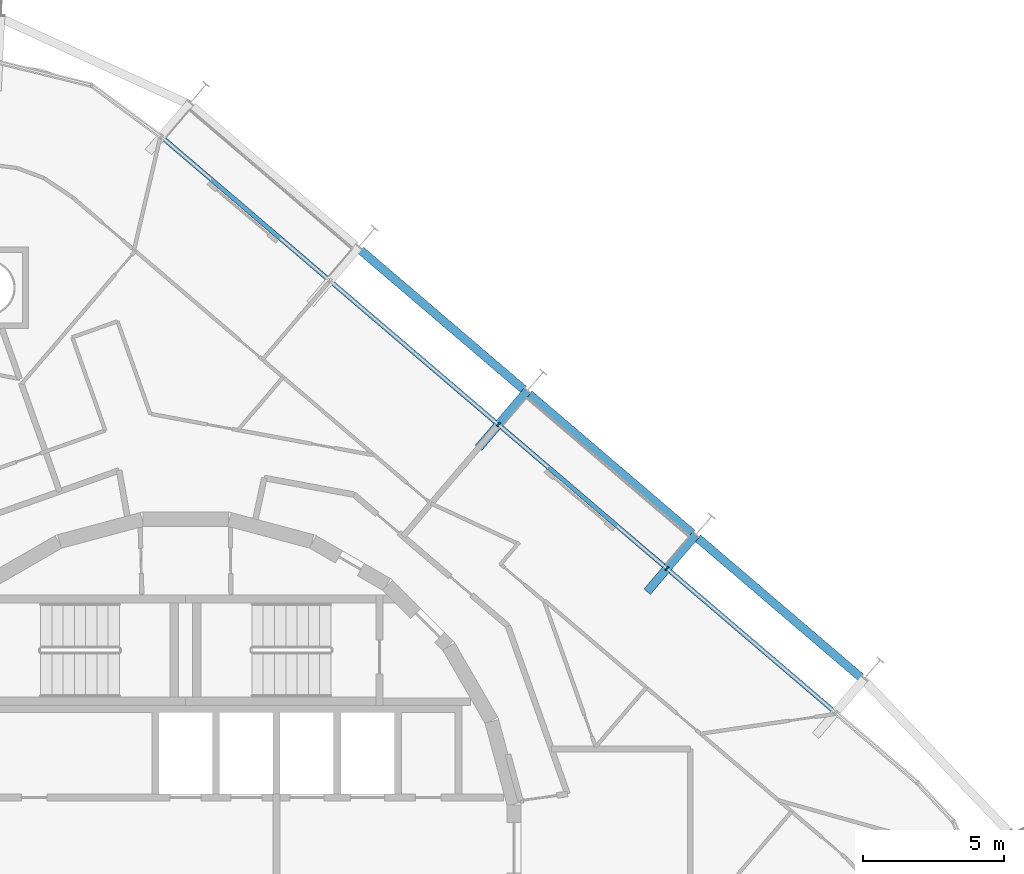
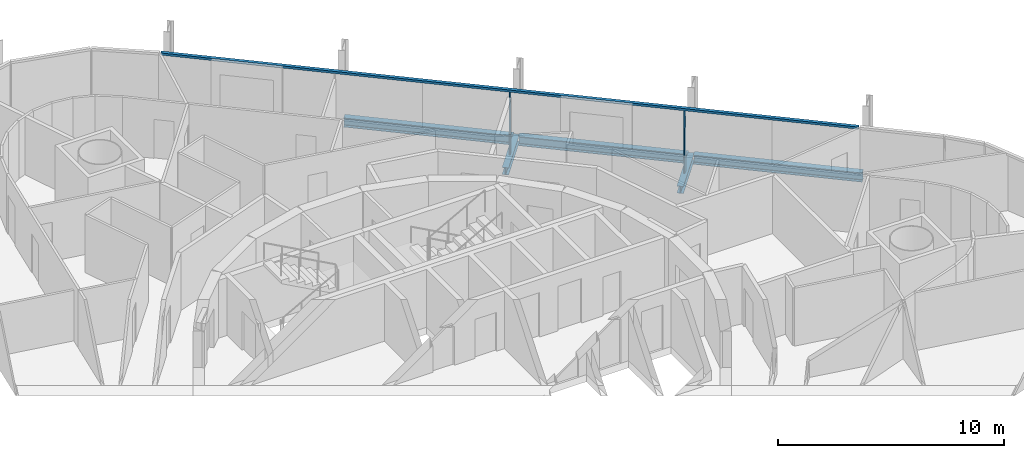
# One storey, part 8 of 17: 5 beams, 3 members, 1 element without a shape of its own.
"""IFC4 building model written with IfcOpenShell, lengths in metres."""

from ifc_helpers import new_model, si_unit, direction, frame, origin, origin_2d, place, context, subcontext, project, spatial, rectangle, i_section, extrude, material, layer, layer_set, material_profile, profile_set, type_object, element, aggregate, save


model = new_model("IFC4")

# Units and contexts
model_context = context("Model", 3, precision=1e-05, world=origin(), true_north=direction((0.0, 1.0)))
body_context = subcontext(model_context, "Body", "Model", "MODEL_VIEW")
ifc_project = project(units=[si_unit("LENGTHUNIT", "METRE"), si_unit("AREAUNIT", "SQUARE_METRE"), si_unit("VOLUMEUNIT", "CUBIC_METRE"), si_unit("PLANEANGLEUNIT", "RADIAN"), si_unit("MASSUNIT", "GRAM", prefix="KILO")], contexts=[model_context])

# Site, building, storey
site_placement = place(None, origin())
site = spatial("IfcSite", under=ifc_project, at=site_placement, CompositionType="ELEMENT")
building_placement = place(site_placement, origin())
building = spatial("IfcBuilding", under=site, at=building_placement, Name="Spindle Arch Residences", CompositionType="ELEMENT")
storey_placement = place(building_placement, frame((0.0, 0.0, 172.699951171875)))
storey = spatial("IfcBuildingStorey", under=building, at=storey_placement, Name="L43", CompositionType="ELEMENT", Elevation=172.699951171875)

# Curtain wall, members
ifc_material_1 = material(Name="Aluminium bronze unitised frame with tinted glass", Category="aluminium")
ifc_layer = layer(ifc_material_1, 0.159912109375)
ifc_layer_set = layer_set([ifc_layer], Name="CW-C typical residential unitised wall")
curtain_wall_type = type_object("IfcCurtainWallType", Name="CW-C typical residential unitised wall", PredefinedType="NOTDEFINED", material=ifc_layer_set)
curtain_wall_placement = place(storey_placement, origin())
curtain_wall = element("IfcCurtainWall", 1, at=curtain_wall_placement, inside=storey, type_object=curtain_wall_type, Name="CW-C L43 run 2", PredefinedType="NOTDEFINED")
ifc_material_2 = material(Name="Aluminium bronze anodised mullion", Category="aluminium")
ifc_material_profile_1 = material_profile(ifc_material_2, rectangle(XDim=0.159912109375, YDim=0.06005859375, at=origin_2d()), Name="MU 60x160")
ifc_profile_set_1 = profile_set([ifc_material_profile_1], Name="Aluminium bronze anodised mullion")
member_type_1 = type_object("IfcMemberType", Name="Bronze mullion 60x160", PredefinedType="MULLION", material=ifc_profile_set_1)
member_1_placement = place(storey_placement, frame((17.06884765625, 9.8994140625, -0.3798828125), z_axis=(0.0, 0.0, 1.0), x_axis=(-0.64944804833, -0.7604059656, 0.0)))
member_1 = element("IfcMember", 2, at=member_1_placement, type_object=member_type_1, Name="CW-C mullion 06", PredefinedType="MULLION", context=body_context, shape_type="SweptSolid", body=[
    extrude(rectangle(XDim=0.159912109375, YDim=0.06005859375, at=origin_2d()), origin(), (0.0, 0.0, 1.0), 3.3798828125),
])
member_2_placement = place(storey_placement, frame((11.092041015625, 15.004150390625, -0.3798828125), z_axis=(0.0, 0.0, 1.0), x_axis=(-0.64944804833, -0.7604059656, 0.0)))
member_2 = element("IfcMember", 3, at=member_2_placement, type_object=member_type_1, Name="CW-C mullion 07", PredefinedType="MULLION", context=body_context, shape_type="SweptSolid", body=[
    extrude(rectangle(XDim=0.159912109375, YDim=0.06005859375, at=origin_2d()), origin(), (0.0, 0.0, 1.0), 3.3798828125),
])
ifc_material_3 = material(Name="Aluminium bronze anodised transom", Category="aluminium")
ifc_material_profile_2 = material_profile(ifc_material_3, rectangle(XDim=0.159912109375, YDim=0.1201171875, at=origin_2d()), Name="TR 120x160")
ifc_profile_set_2 = profile_set([ifc_material_profile_2], Name="Aluminium bronze anodised transom")
member_type_2 = type_object("IfcMemberType", Name="Bronze transom 120x160", PredefinedType="USERDEFINED", material=ifc_profile_set_2)
member_3_placement = place(storey_placement, frame((23.02294921875, 4.814208984375, 3.06005859375), z_axis=(-0.760406495952, 0.649447427368, 0.0), x_axis=(-0.649447427368, -0.760406495952, 0.0)))
member_3 = element("IfcMember", 4, at=member_3_placement, type_object=member_type_2, Name="CW-C transom 00", ObjectType="TRANSOM", PredefinedType="USERDEFINED", context=body_context, shape_type="SweptSolid", body=[
    extrude(rectangle(XDim=0.159912109375, YDim=0.1201171875, at=origin_2d()), origin(), (0.0, 0.0, 1.0), 31.38037109375),
])
aggregate(curtain_wall, [member_3, member_1, member_2])

# Beams
ifc_material_4 = material(Name="Steel S460ML, intumescent coating R 120", Category="steel")
ifc_material_profile_3 = material_profile(ifc_material_4, i_section(OverallWidth=0.300048828125, OverallDepth=0.5, WebThickness=0.014404296875, FlangeThickness=0.028076171875, FilletRadius=0.027099609375, at=origin_2d()), Name="HEB 500")
ifc_profile_set_3 = profile_set([ifc_material_profile_3], Name="Steel S460ML, intumescent coating R 120")
beam_type_1 = type_object("IfcBeamType", Name="Exoskeleton edge beam HEB 500", PredefinedType="BEAM", material=ifc_profile_set_3)
for number, where, z_axis, x_axis, name in (
    (5, (23.9404296875, 6.04248046875, -0.6298828125), (-0.760389211598, 0.649467664234, 0.0), (-0.649467664234, -0.760389211598, 0.0), "Exoskeleton edge beam 6"),
    (6, (17.963623046875, 11.147216796875, -0.6298828125), (-0.760389211598, 0.649467664234, 0.0), (-0.649467664234, -0.760389211598, 0.0), "Exoskeleton edge beam 7"),
):
    element("IfcBeam", number, at=place(storey_placement, frame(where, z_axis=z_axis, x_axis=x_axis)), inside=storey, type_object=beam_type_1, Name=name, PredefinedType="BEAM", context=body_context, shape_type="SweptSolid", body=[
        extrude(i_section(OverallWidth=0.300048828125, OverallDepth=0.5, WebThickness=0.014404296875, FlangeThickness=0.028076171875, FilletRadius=0.027099609375, at=origin_2d()), origin(), (0.0, 0.0, 1.0), 7.60009765625),
    ])
beam_placement = place(storey_placement, frame((11.98681640625, 16.251953125, -0.6298828125), z_axis=(-0.760402760949, 0.649451800476, 0.0), x_axis=(-0.649451800476, -0.760402760949, 0.0)))
element("IfcBeam", 7, at=beam_placement, inside=storey, type_object=beam_type_1, Name="Exoskeleton edge beam 8", PredefinedType="BEAM", context=body_context, shape_type="SweptSolid", body=[
    extrude(i_section(OverallWidth=0.300048828125, OverallDepth=0.5, WebThickness=0.014404296875, FlangeThickness=0.028076171875, FilletRadius=0.027099609375, at=origin_2d()), origin(), (0.0, 0.0, 1.0), 7.600341796875),
])
ifc_material_5 = material(Name="Steel S460ML, intumescent coating R 120", Category="steel")
ifc_material_profile_4 = material_profile(ifc_material_5, i_section(OverallWidth=0.300048828125, OverallDepth=0.389892578125, WebThickness=0.010986328125, FlangeThickness=0.01904296875, FilletRadius=0.027099609375, at=origin_2d()), Name="HEA 400")
ifc_profile_set_4 = profile_set([ifc_material_profile_4], Name="Steel S460ML, intumescent coating R 120")
beam_type_2 = type_object("IfcBeamType", Name="Floor outrigger HEA 400", PredefinedType="BEAM", material=ifc_profile_set_4)
for number, where, z_axis, x_axis, name in (
    (8, (18.08837890625, 11.09326171875, -0.574951171875), (-0.64941704551, -0.760432443417, 0.0), (0.760432443417, -0.64941704551, 0.0), "Floor outrigger 7"),
    (9, (12.111572265625, 16.197998046875, -0.574951171875), (-0.64941704551, -0.760432443417, 0.0), (0.760432443417, -0.64941704551, 0.0), "Floor outrigger 8"),
):
    element("IfcBeam", number, at=place(storey_placement, frame(where, z_axis=z_axis, x_axis=x_axis)), inside=storey, type_object=beam_type_2, Name=name, PredefinedType="BEAM", context=body_context, shape_type="SweptSolid", body=[
        extrude(i_section(OverallWidth=0.300048828125, OverallDepth=0.389892578125, WebThickness=0.010986328125, FlangeThickness=0.01904296875, FilletRadius=0.027099609375, at=origin_2d()), origin(), (0.0, 0.0, 1.0), 2.64990234375),
    ])

save(model, "model.ifc")
